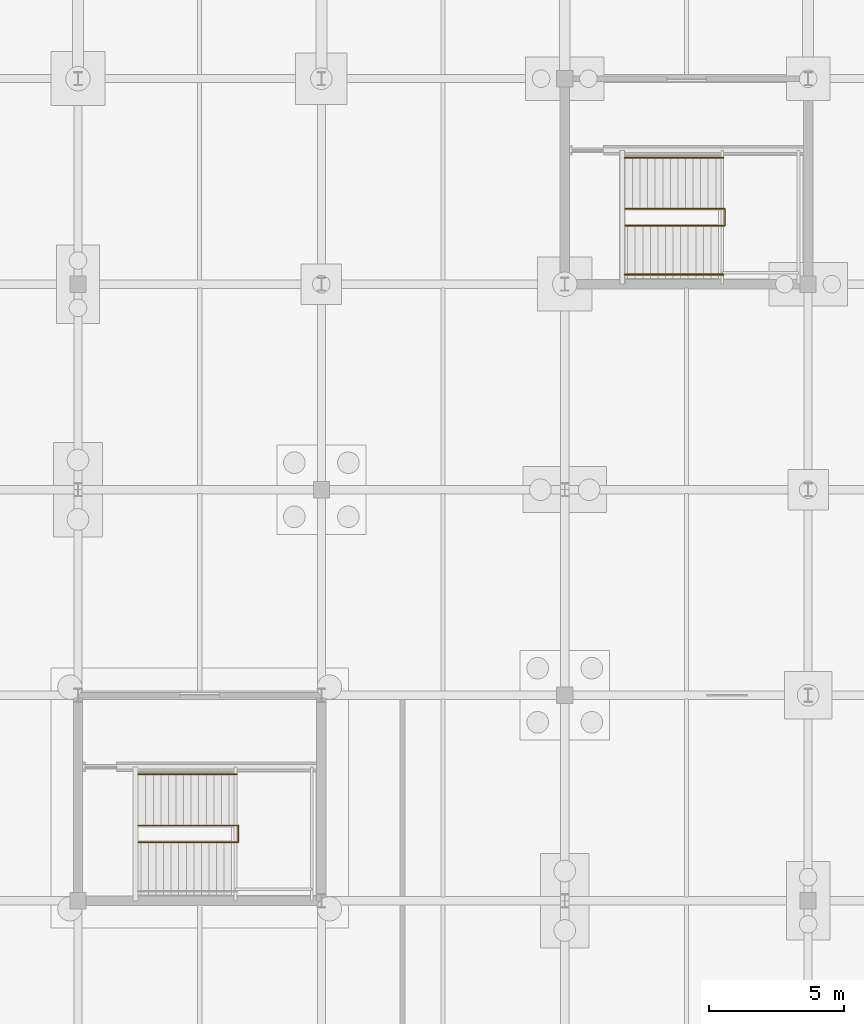
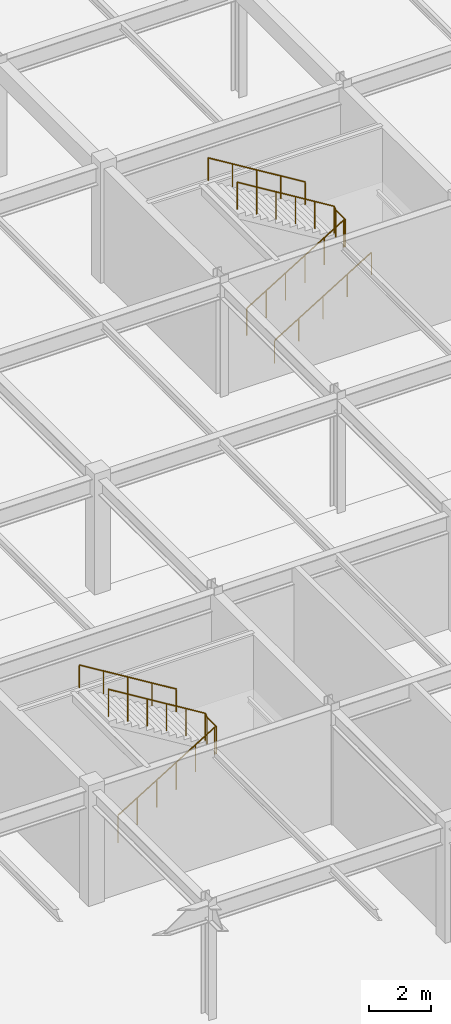
# One storey, part 52 of 53: 5 railings.
"""IFC4 building model written with IfcOpenShell, lengths in metres."""

from ifc_helpers import new_model, si_unit, direction, frame, origin, origin_2d, place, context, subcontext, project, spatial, circle, extrude, material, type_object, element, save


model = new_model("IFC4")

# Units and contexts
model_context = context("Model", 3, precision=1e-05, world=origin(), true_north=direction((0.0, 1.0)))
body_context = subcontext(model_context, "Body", "Model", "MODEL_VIEW")
ifc_project = project(units=[si_unit("LENGTHUNIT", "METRE"), si_unit("AREAUNIT", "SQUARE_METRE"), si_unit("VOLUMEUNIT", "CUBIC_METRE"), si_unit("PLANEANGLEUNIT", "RADIAN"), si_unit("MASSUNIT", "GRAM", prefix="KILO")], contexts=[model_context])

# Site, building, storey
site_placement = place(None, origin())
site = spatial("IfcSite", under=ifc_project, at=site_placement, CompositionType="ELEMENT")
building_placement = place(site_placement, origin())
building = spatial("IfcBuilding", under=site, at=building_placement, Name="Shalkamar Park Central Library", CompositionType="ELEMENT")
storey_placement = place(building_placement, frame((0.0, 0.0, -4.800048828125)))
storey = spatial("IfcBuildingStorey", under=building, at=storey_placement, Name="B1", CompositionType="ELEMENT", Elevation=-4.800048828125)

# Railings
ifc_material = material(Name="Steel S355", Category="steel")
railing_type_1 = type_object("IfcRailingType", Name="Stair Guardrail 1100", PredefinedType="GUARDRAIL", material=ifc_material)
railing_1_placement = place(storey_placement, frame((248.22509765625, 302.965087890625, 0.17138671875)))
element("IfcRailing", 1, at=railing_1_placement, inside=storey, type_object=railing_type_1, Name="Stair Inner Well Guardrail ST-P4-B1", PredefinedType="GUARDRAIL", context=body_context, shape_type="SweptSolid", body=[
    extrude(circle(Radius=0.02392578125, at=origin_2d()), frame((0.0, 0.0, 1.076171875), z_axis=(0.852824790078, 0.0, 0.522197163366), x_axis=(0.0, 1.0, 0.0)), (0.0, 0.0, 1.0), 4.26806640625),
    extrude(circle(Radius=0.02392578125, at=origin_2d()), frame((3.639892578125, 0.0, 3.3046875), z_axis=(1.0, 0.0, 0.0), x_axis=(0.0, 1.0, 0.0)), (0.0, 0.0, 1.0), 0.06005859375),
    extrude(circle(Radius=0.02392578125, at=origin_2d()), frame((3.699951171875, 0.0, 3.3046875), z_axis=(0.0, 1.0, 0.0), x_axis=(-1.0, 0.0, 0.0)), (0.0, 0.0, 1.0), 0.619873046875),
    extrude(circle(Radius=0.02392578125, at=origin_2d()), frame((3.699951171875, 0.619873046875, 3.3046875), z_axis=(-0.33070969211, 0.0, 0.943732536021), x_axis=(0.0, -1.0, 0.0)), (0.0, 0.0, 1.0), 0.181640625),
    extrude(circle(Radius=0.02392578125, at=origin_2d()), frame((3.639892578125, 0.619873046875, 3.47607421875), z_axis=(-0.852850264322, 0.0, 0.5221555579), x_axis=(0.0, -1.0, 0.0)), (0.0, 0.0, 1.0), 4.267822265625),
    extrude(circle(Radius=0.02099609375, at=origin_2d()), origin(), (0.0, 0.0, 1.0), 1.052001953125),
    extrude(circle(Radius=0.02099609375, at=origin_2d()), frame((0.72802734375, 0.0, 0.44580078125)), (0.0, 0.0, 1.0), 1.052001953125),
    extrude(circle(Radius=0.02099609375, at=origin_2d()), frame((1.4560546875, 0.0, 0.8916015625)), (0.0, 0.0, 1.0), 1.052001953125),
    extrude(circle(Radius=0.02099609375, at=origin_2d()), frame((2.183837890625, 0.0, 1.337158203125)), (0.0, 0.0, 1.0), 1.052001953125),
    extrude(circle(Radius=0.02099609375, at=origin_2d()), frame((2.911865234375, 0.0, 1.782958984375)), (0.0, 0.0, 1.0), 1.052001953125),
    extrude(circle(Radius=0.02099609375, at=origin_2d()), frame((3.639892578125, 0.0, 2.228759765625)), (0.0, 0.0, 1.0), 1.052001953125),
    extrude(circle(Radius=0.02099609375, at=origin_2d()), frame((3.699951171875, 0.0, 2.228759765625)), (0.0, 0.0, 1.0), 1.052001953125),
    extrude(circle(Radius=0.02099609375, at=origin_2d()), frame((3.699951171875, 0.619873046875, 2.228759765625)), (0.0, 0.0, 1.0), 1.052001953125),
    extrude(circle(Radius=0.02099609375, at=origin_2d()), frame((3.639892578125, 0.619873046875, 2.400146484375)), (0.0, 0.0, 1.0), 1.052001953125),
    extrude(circle(Radius=0.02099609375, at=origin_2d()), frame((2.911865234375, 0.619873046875, 2.845947265625)), (0.0, 0.0, 1.0), 1.052001953125),
    extrude(circle(Radius=0.02099609375, at=origin_2d()), frame((2.183837890625, 0.619873046875, 3.29150390625)), (0.0, 0.0, 1.0), 1.052001953125),
    extrude(circle(Radius=0.02099609375, at=origin_2d()), frame((1.4560546875, 0.619873046875, 3.7373046875)), (0.0, 0.0, 1.0), 1.052001953125),
    extrude(circle(Radius=0.02099609375, at=origin_2d()), frame((0.72802734375, 0.619873046875, 4.182861328125)), (0.0, 0.0, 1.0), 1.052001953125),
    extrude(circle(Radius=0.02099609375, at=origin_2d()), frame((0.0, 0.619873046875, 4.628662109375)), (0.0, 0.0, 1.0), 1.052001953125),
])
railing_2_placement = place(storey_placement, frame((266.22509765625, 325.764892578125, 0.17138671875)))
element("IfcRailing", 2, at=railing_2_placement, inside=storey, type_object=railing_type_1, Name="Stair Inner Well Guardrail ST-P6-B1", PredefinedType="GUARDRAIL", context=body_context, shape_type="SweptSolid", body=[
    extrude(circle(Radius=0.02392578125, at=origin_2d()), frame((0.0, 0.0, 1.076171875), z_axis=(0.852824790078, 0.0, 0.522197163366), x_axis=(0.0, 1.0, 0.0)), (0.0, 0.0, 1.0), 4.26806640625),
    extrude(circle(Radius=0.02392578125, at=origin_2d()), frame((3.639892578125, 0.0, 3.3046875), z_axis=(1.0, 0.0, 0.0), x_axis=(0.0, 1.0, 0.0)), (0.0, 0.0, 1.0), 0.06005859375),
    extrude(circle(Radius=0.02392578125, at=origin_2d()), frame((3.699951171875, 0.0, 3.3046875), z_axis=(0.0, 1.0, 0.0), x_axis=(-1.0, 0.0, 0.0)), (0.0, 0.0, 1.0), 0.6201171875),
    extrude(circle(Radius=0.02392578125, at=origin_2d()), frame((3.699951171875, 0.6201171875, 3.3046875), z_axis=(-0.33070969211, 0.0, 0.943732536021), x_axis=(0.0, -1.0, 0.0)), (0.0, 0.0, 1.0), 0.181640625),
    extrude(circle(Radius=0.02392578125, at=origin_2d()), frame((3.639892578125, 0.6201171875, 3.47607421875), z_axis=(-0.852850264322, 0.0, 0.5221555579), x_axis=(0.0, -1.0, 0.0)), (0.0, 0.0, 1.0), 4.267822265625),
    extrude(circle(Radius=0.02099609375, at=origin_2d()), origin(), (0.0, 0.0, 1.0), 1.052001953125),
    extrude(circle(Radius=0.02099609375, at=origin_2d()), frame((0.72802734375, 0.0, 0.44580078125)), (0.0, 0.0, 1.0), 1.052001953125),
    extrude(circle(Radius=0.02099609375, at=origin_2d()), frame((1.4560546875, 0.0, 0.8916015625)), (0.0, 0.0, 1.0), 1.052001953125),
    extrude(circle(Radius=0.02099609375, at=origin_2d()), frame((2.183837890625, 0.0, 1.337158203125)), (0.0, 0.0, 1.0), 1.052001953125),
    extrude(circle(Radius=0.02099609375, at=origin_2d()), frame((2.911865234375, 0.0, 1.782958984375)), (0.0, 0.0, 1.0), 1.052001953125),
    extrude(circle(Radius=0.02099609375, at=origin_2d()), frame((3.639892578125, 0.0, 2.228759765625)), (0.0, 0.0, 1.0), 1.052001953125),
    extrude(circle(Radius=0.02099609375, at=origin_2d()), frame((3.699951171875, 0.0, 2.228759765625)), (0.0, 0.0, 1.0), 1.052001953125),
    extrude(circle(Radius=0.02099609375, at=origin_2d()), frame((3.699951171875, 0.6201171875, 2.228759765625)), (0.0, 0.0, 1.0), 1.052001953125),
    extrude(circle(Radius=0.02099609375, at=origin_2d()), frame((3.639892578125, 0.6201171875, 2.400146484375)), (0.0, 0.0, 1.0), 1.052001953125),
    extrude(circle(Radius=0.02099609375, at=origin_2d()), frame((2.911865234375, 0.6201171875, 2.845947265625)), (0.0, 0.0, 1.0), 1.052001953125),
    extrude(circle(Radius=0.02099609375, at=origin_2d()), frame((2.183837890625, 0.6201171875, 3.29150390625)), (0.0, 0.0, 1.0), 1.052001953125),
    extrude(circle(Radius=0.02099609375, at=origin_2d()), frame((1.4560546875, 0.6201171875, 3.7373046875)), (0.0, 0.0, 1.0), 1.052001953125),
    extrude(circle(Radius=0.02099609375, at=origin_2d()), frame((0.72802734375, 0.6201171875, 4.182861328125)), (0.0, 0.0, 1.0), 1.052001953125),
    extrude(circle(Radius=0.02099609375, at=origin_2d()), frame((0.0, 0.6201171875, 4.628662109375)), (0.0, 0.0, 1.0), 1.052001953125),
])
railing_type_2 = type_object("IfcRailingType", Name="Stair Pitched Handrail 920", PredefinedType="HANDRAIL", material=ifc_material)
railing_3_placement = place(storey_placement, frame((251.864990234375, 305.47509765625, 2.571533203125)))
element("IfcRailing", 3, at=railing_3_placement, inside=storey, type_object=railing_type_2, Name="Stair Wall Handrail ST-P4-B1 Flight 2", PredefinedType="HANDRAIL", context=body_context, shape_type="SweptSolid", body=[
    extrude(circle(Radius=0.02392578125, at=origin_2d()), frame((0.0, 0.0, 0.89599609375), z_axis=(-0.852850264322, 0.0, 0.5221555579), x_axis=(0.0, -1.0, 0.0)), (0.0, 0.0, 1.0), 4.267822265625),
    extrude(circle(Radius=0.02099609375, at=origin_2d()), origin(), (0.0, 0.0, 1.0), 0.871826171875),
    extrude(circle(Radius=0.02099609375, at=origin_2d()), frame((-0.909912109375, 0.0, 0.55712890625)), (0.0, 0.0, 1.0), 0.871826171875),
    extrude(circle(Radius=0.02099609375, at=origin_2d()), frame((-1.81982421875, 0.0, 1.1142578125)), (0.0, 0.0, 1.0), 0.871826171875),
    extrude(circle(Radius=0.02099609375, at=origin_2d()), frame((-2.72998046875, 0.0, 1.67138671875)), (0.0, 0.0, 1.0), 0.871826171875),
    extrude(circle(Radius=0.02099609375, at=origin_2d()), frame((-3.639892578125, 0.0, 2.228515625)), (0.0, 0.0, 1.0), 0.871826171875),
])
railing_4_placement = place(storey_placement, frame((266.22509765625, 323.955078125, 0.17138671875)))
element("IfcRailing", 4, at=railing_4_placement, inside=storey, type_object=railing_type_2, Name="Stair Wall Handrail ST-P6-B1 Flight 1", PredefinedType="HANDRAIL", context=body_context, shape_type="SweptSolid", body=[
    extrude(circle(Radius=0.02392578125, at=origin_2d()), frame((0.0, 0.0, 0.89599609375), z_axis=(0.852824790078, 0.0, 0.522197163366), x_axis=(0.0, 1.0, 0.0)), (0.0, 0.0, 1.0), 4.26806640625),
    extrude(circle(Radius=0.02099609375, at=origin_2d()), origin(), (0.0, 0.0, 1.0), 0.871826171875),
    extrude(circle(Radius=0.02099609375, at=origin_2d()), frame((0.909912109375, 0.0, 0.55712890625)), (0.0, 0.0, 1.0), 0.871826171875),
    extrude(circle(Radius=0.02099609375, at=origin_2d()), frame((1.81982421875, 0.0, 1.1142578125)), (0.0, 0.0, 1.0), 0.871826171875),
    extrude(circle(Radius=0.02099609375, at=origin_2d()), frame((2.72998046875, 0.0, 1.671630859375)), (0.0, 0.0, 1.0), 0.871826171875),
    extrude(circle(Radius=0.02099609375, at=origin_2d()), frame((3.639892578125, 0.0, 2.228759765625)), (0.0, 0.0, 1.0), 0.871826171875),
])
railing_5_placement = place(storey_placement, frame((269.864990234375, 328.27490234375, 2.571533203125)))
element("IfcRailing", 5, at=railing_5_placement, inside=storey, type_object=railing_type_2, Name="Stair Wall Handrail ST-P6-B1 Flight 2", PredefinedType="HANDRAIL", context=body_context, shape_type="SweptSolid", body=[
    extrude(circle(Radius=0.02392578125, at=origin_2d()), frame((0.0, 0.0, 0.89599609375), z_axis=(-0.852850264322, 0.0, 0.5221555579), x_axis=(0.0, -1.0, 0.0)), (0.0, 0.0, 1.0), 4.267822265625),
    extrude(circle(Radius=0.02099609375, at=origin_2d()), origin(), (0.0, 0.0, 1.0), 0.871826171875),
    extrude(circle(Radius=0.02099609375, at=origin_2d()), frame((-0.909912109375, 0.0, 0.55712890625)), (0.0, 0.0, 1.0), 0.871826171875),
    extrude(circle(Radius=0.02099609375, at=origin_2d()), frame((-1.81982421875, 0.0, 1.1142578125)), (0.0, 0.0, 1.0), 0.871826171875),
    extrude(circle(Radius=0.02099609375, at=origin_2d()), frame((-2.72998046875, 0.0, 1.67138671875)), (0.0, 0.0, 1.0), 0.871826171875),
    extrude(circle(Radius=0.02099609375, at=origin_2d()), frame((-3.639892578125, 0.0, 2.228515625)), (0.0, 0.0, 1.0), 0.871826171875),
])

save(model, "model.ifc")
